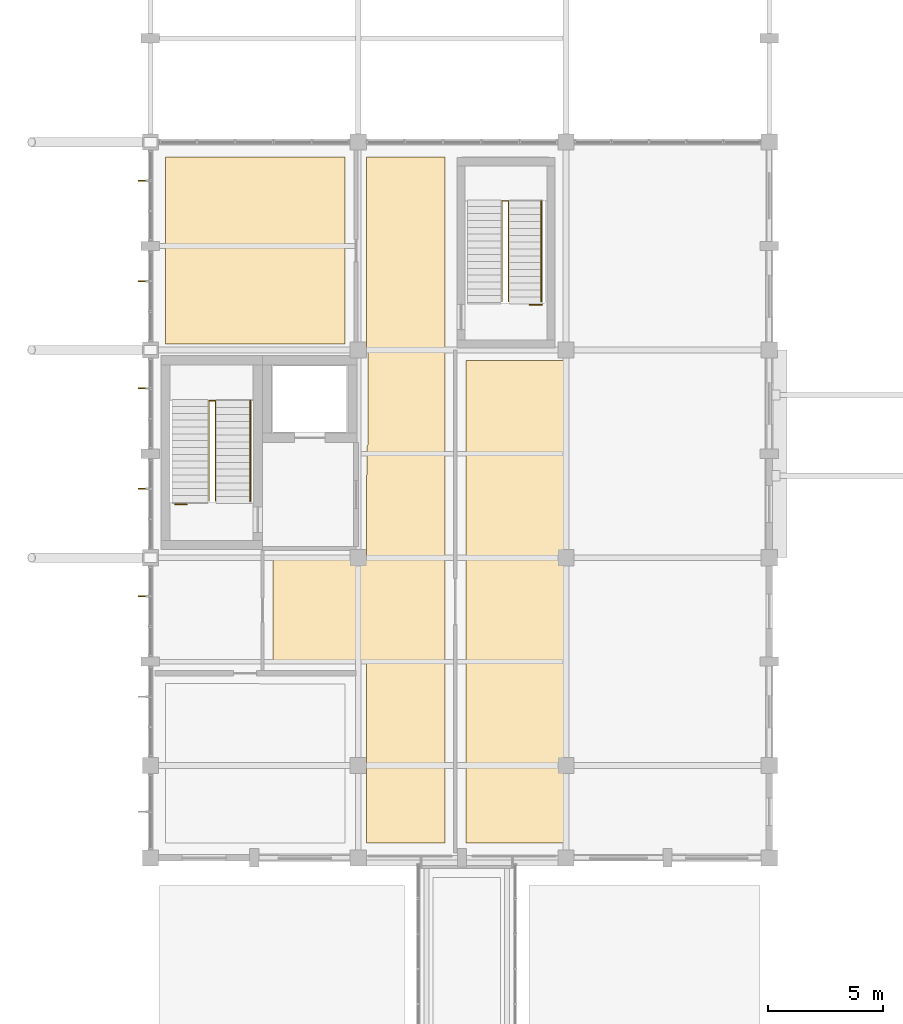
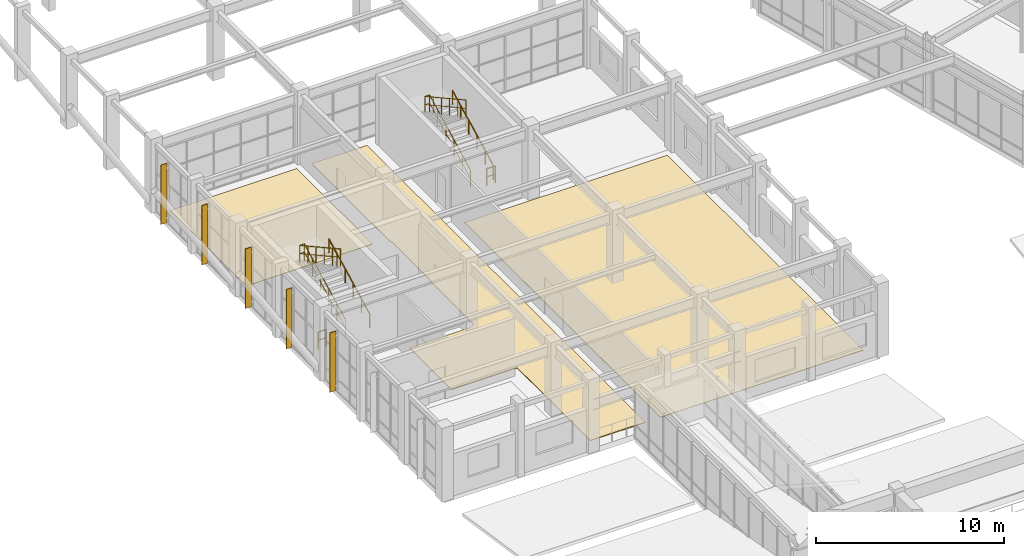
# One storey, part 98 of 104: 6 railings, 5 shading devices, 3 coverings.
"""IFC4 building model written with IfcOpenShell, lengths in metres."""

from ifc_helpers import new_model, si_unit, direction, frame, origin, origin_2d, place, context, subcontext, project, spatial, polyline, rectangle, circle, outline, extrude, material, layer, layer_set, type_object, element, save


model = new_model("IFC4")

# Units and contexts
model_context = context("Model", 3, precision=1e-05, world=origin(), true_north=direction((0.0, 1.0)))
body_context = subcontext(model_context, "Body", "Model", "MODEL_VIEW")
ifc_project = project(units=[si_unit("LENGTHUNIT", "METRE"), si_unit("AREAUNIT", "SQUARE_METRE"), si_unit("VOLUMEUNIT", "CUBIC_METRE"), si_unit("PLANEANGLEUNIT", "RADIAN"), si_unit("MASSUNIT", "GRAM", prefix="KILO")], contexts=[model_context])

# Site, building, storey
site_placement = place(None, origin())
site = spatial("IfcSite", under=ifc_project, at=site_placement, CompositionType="ELEMENT")
building_placement = place(site_placement, origin())
building = spatial("IfcBuilding", under=site, at=building_placement, Name="Ventoquebrada Cableway Terminal", CompositionType="ELEMENT")
storey_placement = place(building_placement, frame((0.0, 0.0, 4.800048828125)))
storey = spatial("IfcBuildingStorey", under=building, at=storey_placement, Name="L01", CompositionType="ELEMENT", Elevation=4.800048828125)

# Coverings
ifc_material_1 = material(Name="Honed volcanic basalt stone flooring", Category="masonry")
ifc_layer = layer(ifc_material_1, 0.034912109375)
ifc_layer_set = layer_set([ifc_layer], Name="Honed volcanic basalt stone flooring")
covering_type = type_object("IfcCoveringType", Name="COV-FL01", PredefinedType="FLOORING", material=ifc_layer_set)
covering_1_placement = place(storey_placement, origin())
element("IfcCovering", 1, at=covering_1_placement, inside=storey, type_object=covering_type, Name="Honed basalt floor finish FL-06", PredefinedType="FLOORING", context=body_context, shape_type="SweptSolid", body=[
    extrude(outline(polyline([(13.5, 72.449951171875), (17.550048828125, 72.449951171875), (17.550048828125, 64.64990234375), (20.949951171875, 64.64990234375), (20.949951171875, 94.35009765625), (17.550048828125, 94.35009765625), (17.550048828125, 85.992919921875), (17.6201171875, 85.89794921875), (17.6201171875, 81.907958984375), (17.570068359375, 81.7900390625), (17.56494140625, 77.10009765625), (17.199951171875, 76.929931640625), (13.5, 76.929931640625), (13.5, 72.449951171875)])), origin(), (0.0, 0.0, 1.0), 0.034912109375),
])
covering_2_placement = place(storey_placement, origin())
element("IfcCovering", 2, at=covering_2_placement, inside=storey, type_object=covering_type, Name="Honed basalt floor finish FL-07", PredefinedType="FLOORING", context=body_context, shape_type="SweptSolid", body=[
    extrude(outline(polyline([(21.8701171875, 64.64990234375), (34.35009765625, 64.64990234375), (34.35009765625, 85.550048828125), (21.8701171875, 85.550048828125), (21.8701171875, 64.64990234375)])), origin(), (0.0, 0.0, 1.0), 0.034912109375),
])
covering_3_placement = place(storey_placement, origin())
element("IfcCovering", 3, at=covering_3_placement, inside=storey, type_object=covering_type, Name="Honed basalt floor finish FL-09", PredefinedType="FLOORING", context=body_context, shape_type="SweptSolid", body=[
    extrude(outline(polyline([(16.6298828125, 86.25), (16.6298828125, 94.35009765625), (8.85009765625, 94.35009765625), (8.85009765625, 86.25), (16.6298828125, 86.25)])), origin(), (0.0, 0.0, 1.0), 0.034912109375),
])

# Railings
ifc_material_2 = material(Name="Brushed stainless steel Grade 316", Category="steel")
railing_type_1 = type_object("IfcRailingType", Name="RL-GD01", PredefinedType="GUARDRAIL", material=ifc_material_2)
railing_1_placement = place(storey_placement, frame((11.010009765625, 79.449951171875, 0.14990234375)))
element("IfcRailing", 4, at=railing_1_placement, inside=storey, type_object=railing_type_1, Name="Stair well guardrail GR-S13", PredefinedType="GUARDRAIL", context=body_context, shape_type="SweptSolid", body=[
    extrude(circle(Radius=0.02392578125, at=origin_2d()), frame((0.0, 0.001708984375, 1.096923828125), z_axis=(0.0, 0.888221851817, 0.459414782038), x_axis=(-1.0, 0.0, 0.0)), (0.0, 0.0, 1.0), 4.8935546875),
    extrude(circle(Radius=0.01611328125, at=origin_2d()), frame((0.0, 0.001708984375, 0.56103515625), z_axis=(0.0, 0.888221851817, 0.459414782038), x_axis=(-1.0, 0.0, 0.0)), (0.0, 0.0, 1.0), 4.8935546875),
    extrude(circle(Radius=0.02392578125, at=origin_2d()), frame((-0.001953125, 4.35009765625, 3.34619140625), z_axis=(-1.0, 0.0, 0.0), x_axis=(0.0, -1.0, 0.0)), (0.0, 0.0, 1.0), 0.276123046875),
    extrude(circle(Radius=0.01611328125, at=origin_2d()), frame((-0.001953125, 4.35009765625, 2.81005859375), z_axis=(-1.0, 0.0, 0.0), x_axis=(0.0, -1.0, 0.0)), (0.0, 0.0, 1.0), 0.276123046875),
    extrude(circle(Radius=0.02392578125, at=origin_2d()), frame((-0.280029296875, 4.348388671875, 3.346923828125), z_axis=(0.0, -0.875569800069, 0.483091632309), x_axis=(1.0, 0.0, 0.0)), (0.0, 0.0, 1.0), 4.96435546875),
    extrude(circle(Radius=0.01611328125, at=origin_2d()), frame((-0.280029296875, 4.348388671875, 2.81103515625), z_axis=(0.0, -0.875569800069, 0.483091632309), x_axis=(1.0, 0.0, 0.0)), (0.0, 0.0, 1.0), 4.96435546875),
    extrude(circle(Radius=0.02099609375, at=origin_2d()), origin(), (0.0, 0.0, 1.0), 1.072021484375),
    extrude(circle(Radius=0.02099609375, at=origin_2d()), frame((0.0, 0.8701171875, 0.449951171875)), (0.0, 0.0, 1.0), 1.072021484375),
    extrude(circle(Radius=0.02099609375, at=origin_2d()), frame((0.0, 1.739990234375, 0.89990234375)), (0.0, 0.0, 1.0), 1.072021484375),
    extrude(circle(Radius=0.02099609375, at=origin_2d()), frame((0.0, 2.610107421875, 1.35009765625)), (0.0, 0.0, 1.0), 1.072021484375),
    extrude(circle(Radius=0.02099609375, at=origin_2d()), frame((0.0, 3.47998046875, 1.800048828125)), (0.0, 0.0, 1.0), 1.072021484375),
    extrude(circle(Radius=0.02099609375, at=origin_2d()), frame((0.0, 4.35009765625, 2.25)), (0.0, 0.0, 1.0), 1.072021484375),
    extrude(circle(Radius=0.02099609375, at=origin_2d()), frame((-0.280029296875, 4.35009765625, 2.25)), (0.0, 0.0, 1.0), 1.072021484375),
    extrude(circle(Radius=0.02099609375, at=origin_2d()), frame((-0.280029296875, 3.47998046875, 2.72998046875)), (0.0, 0.0, 1.0), 1.072021484375),
    extrude(circle(Radius=0.02099609375, at=origin_2d()), frame((-0.280029296875, 2.610107421875, 3.2099609375)), (0.0, 0.0, 1.0), 1.072021484375),
    extrude(circle(Radius=0.02099609375, at=origin_2d()), frame((-0.280029296875, 1.739990234375, 3.690185546875)), (0.0, 0.0, 1.0), 1.072021484375),
    extrude(circle(Radius=0.02099609375, at=origin_2d()), frame((-0.280029296875, 0.8701171875, 4.170166015625)), (0.0, 0.0, 1.0), 1.072021484375),
    extrude(circle(Radius=0.02099609375, at=origin_2d()), frame((-0.280029296875, 0.0, 4.650146484375)), (0.0, 0.0, 1.0), 1.072021484375),
])
railing_2_placement = place(storey_placement, frame((23.7099609375, 88.10009765625, 0.14990234375)))
element("IfcRailing", 5, at=railing_2_placement, inside=storey, type_object=railing_type_1, Name="Stair well guardrail GR-S14", PredefinedType="GUARDRAIL", context=body_context, shape_type="SweptSolid", body=[
    extrude(circle(Radius=0.02392578125, at=origin_2d()), frame((0.0, 0.001708984375, 1.096923828125), z_axis=(0.0, 0.888211329745, 0.459435124596), x_axis=(-1.0, 0.0, 0.0)), (0.0, 0.0, 1.0), 4.893310546875),
    extrude(circle(Radius=0.01611328125, at=origin_2d()), frame((0.0, 0.001708984375, 0.56103515625), z_axis=(0.0, 0.888211329745, 0.459435124596), x_axis=(-1.0, 0.0, 0.0)), (0.0, 0.0, 1.0), 4.893310546875),
    extrude(circle(Radius=0.02392578125, at=origin_2d()), frame((-0.001953125, 4.349853515625, 3.34619140625), z_axis=(-1.0, 0.0, 0.0), x_axis=(0.0, -1.0, 0.0)), (0.0, 0.0, 1.0), 0.276123046875),
    extrude(circle(Radius=0.01611328125, at=origin_2d()), frame((-0.001953125, 4.349853515625, 2.81005859375), z_axis=(-1.0, 0.0, 0.0), x_axis=(0.0, -1.0, 0.0)), (0.0, 0.0, 1.0), 0.276123046875),
    extrude(circle(Radius=0.02392578125, at=origin_2d()), frame((-0.280029296875, 4.34814453125, 3.346923828125), z_axis=(0.0, -0.875558331245, 0.483112418167), x_axis=(1.0, 0.0, 0.0)), (0.0, 0.0, 1.0), 4.964111328125),
    extrude(circle(Radius=0.01611328125, at=origin_2d()), frame((-0.280029296875, 4.34814453125, 2.81103515625), z_axis=(0.0, -0.875558331245, 0.483112418167), x_axis=(1.0, 0.0, 0.0)), (0.0, 0.0, 1.0), 4.964111328125),
    extrude(circle(Radius=0.02099609375, at=origin_2d()), origin(), (0.0, 0.0, 1.0), 1.072021484375),
    extrude(circle(Radius=0.02099609375, at=origin_2d()), frame((0.0, 0.869873046875, 0.449951171875)), (0.0, 0.0, 1.0), 1.072021484375),
    extrude(circle(Radius=0.02099609375, at=origin_2d()), frame((0.0, 1.739990234375, 0.89990234375)), (0.0, 0.0, 1.0), 1.072021484375),
    extrude(circle(Radius=0.02099609375, at=origin_2d()), frame((0.0, 2.60986328125, 1.35009765625)), (0.0, 0.0, 1.0), 1.072021484375),
    extrude(circle(Radius=0.02099609375, at=origin_2d()), frame((0.0, 3.47998046875, 1.800048828125)), (0.0, 0.0, 1.0), 1.072021484375),
    extrude(circle(Radius=0.02099609375, at=origin_2d()), frame((0.0, 4.349853515625, 2.25)), (0.0, 0.0, 1.0), 1.072021484375),
    extrude(circle(Radius=0.02099609375, at=origin_2d()), frame((-0.280029296875, 4.349853515625, 2.25)), (0.0, 0.0, 1.0), 1.072021484375),
    extrude(circle(Radius=0.02099609375, at=origin_2d()), frame((-0.280029296875, 3.47998046875, 2.72998046875)), (0.0, 0.0, 1.0), 1.072021484375),
    extrude(circle(Radius=0.02099609375, at=origin_2d()), frame((-0.280029296875, 2.60986328125, 3.2099609375)), (0.0, 0.0, 1.0), 1.072021484375),
    extrude(circle(Radius=0.02099609375, at=origin_2d()), frame((-0.280029296875, 1.739990234375, 3.690185546875)), (0.0, 0.0, 1.0), 1.072021484375),
    extrude(circle(Radius=0.02099609375, at=origin_2d()), frame((-0.280029296875, 0.869873046875, 4.170166015625)), (0.0, 0.0, 1.0), 1.072021484375),
    extrude(circle(Radius=0.02099609375, at=origin_2d()), frame((-0.280029296875, 0.0, 4.650146484375)), (0.0, 0.0, 1.0), 1.072021484375),
])
railing_3_placement = place(storey_placement, frame((24.625, 87.9599609375, 0.0)))
element("IfcRailing", 6, at=railing_3_placement, inside=storey, type_object=railing_type_1, Name="Open-edge guardrail GR-E096", PredefinedType="GUARDRAIL", context=body_context, shape_type="SweptSolid", body=[
    extrude(circle(Radius=0.02392578125, at=origin_2d()), frame((0.001953125, 0.0, 1.09619140625), z_axis=(1.0, 0.0, 0.0), x_axis=(0.0, 1.0, 0.0)), (0.0, 0.0, 1.0), 0.526123046875),
    extrude(circle(Radius=0.01611328125, at=origin_2d()), frame((0.001953125, 0.0, 0.56005859375), z_axis=(1.0, 0.0, 0.0), x_axis=(0.0, 1.0, 0.0)), (0.0, 0.0, 1.0), 0.526123046875),
    extrude(circle(Radius=0.02099609375, at=origin_2d()), origin(), (0.0, 0.0, 1.0), 1.072021484375),
    extrude(circle(Radius=0.02099609375, at=origin_2d()), frame((0.530029296875, 0.0, 0.0)), (0.0, 0.0, 1.0), 1.072021484375),
])
railing_4_placement = place(storey_placement, frame((9.27001953125, 79.31005859375, 0.0)))
element("IfcRailing", 7, at=railing_4_placement, inside=storey, type_object=railing_type_1, Name="Open-edge guardrail GR-E097", PredefinedType="GUARDRAIL", context=body_context, shape_type="SweptSolid", body=[
    extrude(circle(Radius=0.02392578125, at=origin_2d()), frame((0.001953125, 0.0, 1.09619140625), z_axis=(1.0, 0.0, 0.0), x_axis=(0.0, 1.0, 0.0)), (0.0, 0.0, 1.0), 0.490966796875),
    extrude(circle(Radius=0.01611328125, at=origin_2d()), frame((0.001953125, 0.0, 0.56005859375), z_axis=(1.0, 0.0, 0.0), x_axis=(0.0, 1.0, 0.0)), (0.0, 0.0, 1.0), 0.490966796875),
    extrude(circle(Radius=0.02099609375, at=origin_2d()), origin(), (0.0, 0.0, 1.0), 1.072021484375),
    extrude(circle(Radius=0.02099609375, at=origin_2d()), frame((0.494873046875, 0.0, 0.0)), (0.0, 0.0, 1.0), 1.072021484375),
])
railing_type_2 = type_object("IfcRailingType", Name="RL-HR01", PredefinedType="HANDRAIL", material=ifc_material_2)
railing_5_placement = place(storey_placement, frame((12.52001953125, 79.449951171875, 0.14990234375)))
element("IfcRailing", 8, at=railing_5_placement, inside=storey, type_object=railing_type_2, Name="Stair wall handrail HR-S13", PredefinedType="HANDRAIL", context=body_context, shape_type="SweptSolid", body=[
    extrude(circle(Radius=0.02392578125, at=origin_2d()), frame((0.0, 0.001708984375, 0.896728515625), z_axis=(0.0, 0.888221851817, 0.459414782038), x_axis=(-1.0, 0.0, 0.0)), (0.0, 0.0, 1.0), 4.8935546875),
    extrude(circle(Radius=0.02099609375, at=origin_2d()), origin(), (0.0, 0.0, 1.0), 0.871826171875),
    extrude(circle(Radius=0.02099609375, at=origin_2d()), frame((0.0, 0.8701171875, 0.449951171875)), (0.0, 0.0, 1.0), 0.871826171875),
    extrude(circle(Radius=0.02099609375, at=origin_2d()), frame((0.0, 1.739990234375, 0.89990234375)), (0.0, 0.0, 1.0), 0.871826171875),
    extrude(circle(Radius=0.02099609375, at=origin_2d()), frame((0.0, 2.610107421875, 1.35009765625)), (0.0, 0.0, 1.0), 0.871826171875),
    extrude(circle(Radius=0.02099609375, at=origin_2d()), frame((0.0, 3.47998046875, 1.800048828125)), (0.0, 0.0, 1.0), 0.871826171875),
    extrude(circle(Radius=0.02099609375, at=origin_2d()), frame((0.0, 4.35009765625, 2.25)), (0.0, 0.0, 1.0), 0.871826171875),
])
railing_6_placement = place(storey_placement, frame((25.1201171875, 88.10009765625, 0.14990234375)))
element("IfcRailing", 9, at=railing_6_placement, inside=storey, type_object=railing_type_2, Name="Stair wall handrail HR-S14", PredefinedType="HANDRAIL", context=body_context, shape_type="SweptSolid", body=[
    extrude(circle(Radius=0.02392578125, at=origin_2d()), frame((0.0, 0.001708984375, 0.896728515625), z_axis=(0.0, 0.888211329745, 0.459435124596), x_axis=(-1.0, 0.0, 0.0)), (0.0, 0.0, 1.0), 4.893310546875),
    extrude(circle(Radius=0.02099609375, at=origin_2d()), origin(), (0.0, 0.0, 1.0), 0.871826171875),
    extrude(circle(Radius=0.02099609375, at=origin_2d()), frame((0.0, 0.869873046875, 0.449951171875)), (0.0, 0.0, 1.0), 0.871826171875),
    extrude(circle(Radius=0.02099609375, at=origin_2d()), frame((0.0, 1.739990234375, 0.89990234375)), (0.0, 0.0, 1.0), 0.871826171875),
    extrude(circle(Radius=0.02099609375, at=origin_2d()), frame((0.0, 2.60986328125, 1.35009765625)), (0.0, 0.0, 1.0), 0.871826171875),
    extrude(circle(Radius=0.02099609375, at=origin_2d()), frame((0.0, 3.47998046875, 1.800048828125)), (0.0, 0.0, 1.0), 0.871826171875),
    extrude(circle(Radius=0.02099609375, at=origin_2d()), frame((0.0, 4.349853515625, 2.25)), (0.0, 0.0, 1.0), 0.871826171875),
])

# Shading devices
ifc_material_3 = material(Name="Anodized thermally-broken aluminium", Category="aluminium")
shading_device_type = type_object("IfcShadingDeviceType", Name="SHD-AW1", PredefinedType="AWNING", material=ifc_material_3)
for number, where, z_axis, x_axis, name in (
    (10, (7.860107421875, 75.33203125, 0.14990234375), (0.0, 0.0, 1.0), (0.0, -1.0, 0.0), "Extruded aluminium sunshade fin FN-007"),
    (11, (7.860107421875, 84.33203125, 0.14990234375), (0.0, 0.0, 1.0), (0.0, -1.0, 0.0), "Extruded aluminium sunshade fin FN-009"),
    (12, (7.860107421875, 79.98193359375, 0.14990234375), (0.0, 0.0, 1.0), (0.0, -1.0, 0.0), "Extruded aluminium sunshade fin FN-010"),
    (13, (7.860107421875, 93.33203125, 0.14990234375), (0.0, 0.0, 1.0), (0.0, -1.0, 0.0), "Extruded aluminium sunshade fin FN-011"),
    (14, (7.860107421875, 88.98193359375, 0.14990234375), (0.0, 0.0, 1.0), (0.0, -1.0, 0.0), "Extruded aluminium sunshade fin FN-012"),
):
    element("IfcShadingDevice", number, at=place(storey_placement, frame(where, z_axis=z_axis, x_axis=x_axis)), inside=storey, type_object=shading_device_type, Name=name, PredefinedType="AWNING", context=body_context, shape_type="SweptSolid", body=[
        extrude(rectangle(XDim=0.044921875, YDim=0.360107421875, at=origin_2d()), origin(), (0.0, 0.0, 1.0), 3.860107421875),
    ])

save(model, "model.ifc")
